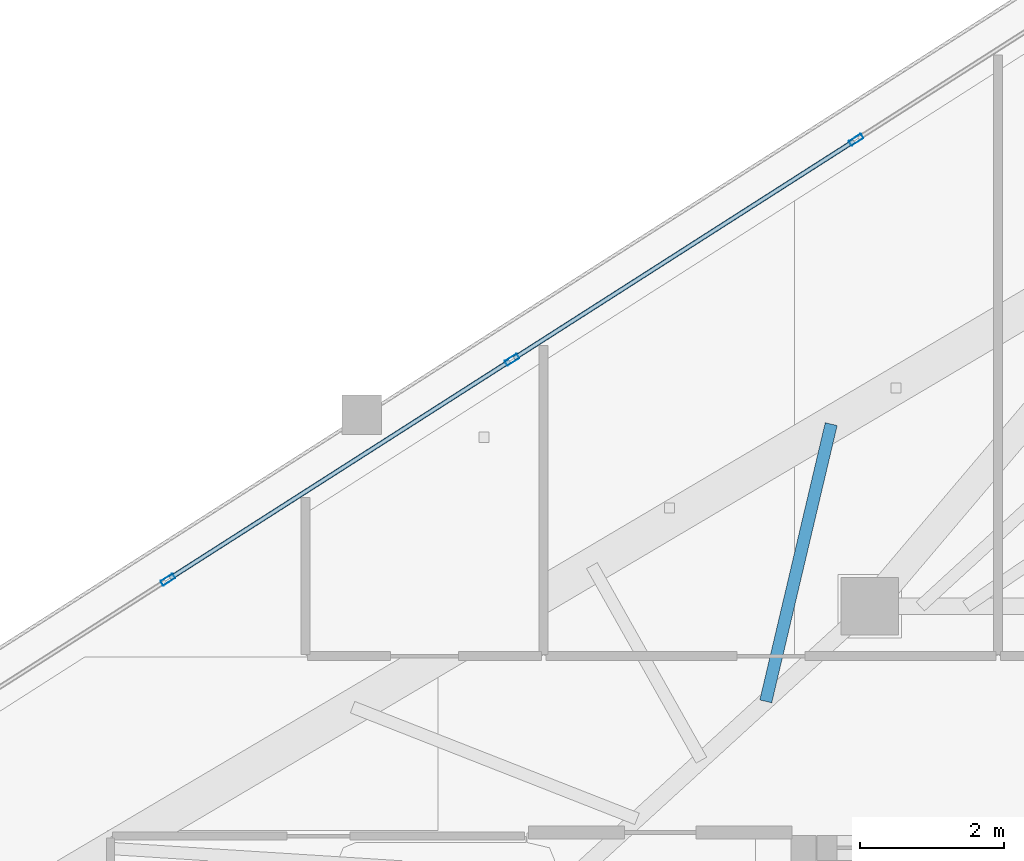
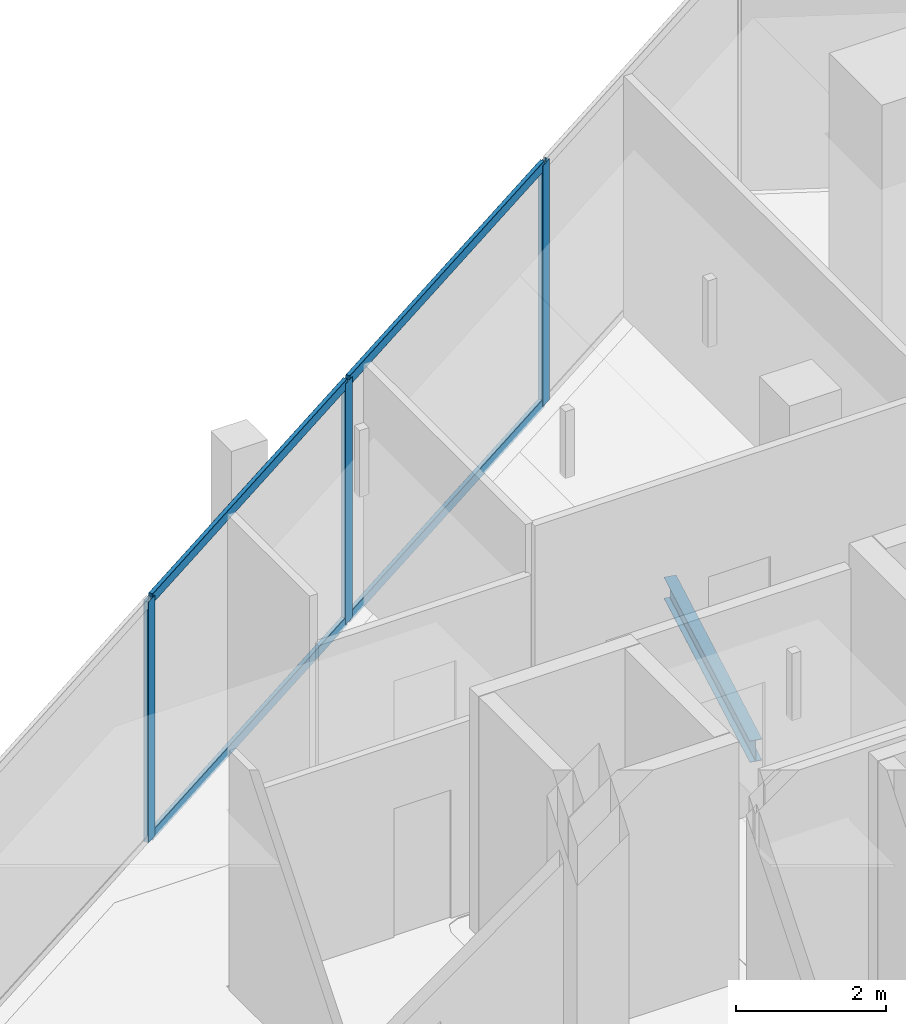
# One storey, part 12 of 24: 7 members, 1 beam, 1 element without a shape of its own.
"""IFC4 building model written with IfcOpenShell, lengths in metres."""

from ifc_helpers import new_model, si_unit, direction, frame, origin, origin_2d, place, context, subcontext, project, spatial, hollow_rectangle, i_section, extrude, material, layer, layer_set, material_profile, profile_set, type_object, element, aggregate, save


model = new_model("IFC4")

# Units and contexts
model_context = context("Model", 3, precision=1e-05, world=origin(), true_north=direction((0.0, 1.0)))
body_context = subcontext(model_context, "Body", "Model", "MODEL_VIEW")
ifc_project = project(units=[si_unit("LENGTHUNIT", "METRE"), si_unit("AREAUNIT", "SQUARE_METRE"), si_unit("VOLUMEUNIT", "CUBIC_METRE"), si_unit("PLANEANGLEUNIT", "RADIAN"), si_unit("MASSUNIT", "GRAM", prefix="KILO")], contexts=[model_context])

# Site, building, storey
site_placement = place(None, origin())
site = spatial("IfcSite", under=ifc_project, at=site_placement, CompositionType="ELEMENT")
building_placement = place(site_placement, origin())
building = spatial("IfcBuilding", under=site, at=building_placement, Name="Qorvath Tower", CompositionType="ELEMENT")
storey_placement = place(building_placement, frame((0.0, 0.0, 318.60009765625)))
storey = spatial("IfcBuildingStorey", under=building, at=storey_placement, Name="L74", CompositionType="ELEMENT", Elevation=318.60009765625)

# Beam
ifc_material_1 = material(Name="Steel ASTM A992 Grade 50", Category="steel")
ifc_material_profile_1 = material_profile(ifc_material_1, i_section(OverallWidth=0.1708984375, OverallDepth=0.35107421875, WebThickness=0.0068359375, FlangeThickness=0.009765625, FilletRadius=0.010009765625, at=origin_2d()), Name="W14x30")
ifc_profile_set_1 = profile_set([ifc_material_profile_1], Name="Steel ASTM A992 Grade 50")
beam_type = type_object("IfcBeamType", Name="BM-FJ4", PredefinedType="JOIST", material=ifc_profile_set_1)
beam_placement = place(storey_placement, frame((-25.049072265625, 10.126953125, -0.465576171875), z_axis=(0.22966321917, 0.973270160726, 0.0), x_axis=(-0.973270160726, 0.22966321917, 0.0)))
element("IfcBeam", 1, at=beam_placement, inside=storey, type_object=beam_type, Name="Composite Floor Joist NW6 L74", PredefinedType="JOIST", context=body_context, shape_type="SweptSolid", body=[
    extrude(i_section(OverallWidth=0.1708984375, OverallDepth=0.35107421875, WebThickness=0.0068359375, FlangeThickness=0.009765625, FilletRadius=0.010009765625, at=origin_2d()), origin(), (0.0, 0.0, 1.0), 3.969482421875),
])

# Curtain wall, members
ifc_material_2 = material(Name="Anodised aluminium and triple low-E glass", Category="aluminium")
ifc_layer = layer(ifc_material_2, 0.179931640625)
ifc_layer_set = layer_set([ifc_layer], Name="CW-SYS-4")
curtain_wall_type = type_object("IfcCurtainWallType", Name="CW-SYS-4", PredefinedType="NOTDEFINED", material=ifc_layer_set)
curtain_wall_placement = place(storey_placement, origin())
curtain_wall = element("IfcCurtainWall", 2, at=curtain_wall_placement, inside=storey, type_object=curtain_wall_type, Name="Curtain Wall CW-4 CW-T-L74-16.1", PredefinedType="NOTDEFINED")
ifc_material_3 = material(Name="Anodised aluminium 6063-T6", Category="aluminium")
ifc_material_profile_2 = material_profile(ifc_material_3, hollow_rectangle(XDim=0.074951171875, YDim=0.199951171875, WallThickness=0.00390625, InnerFilletRadius=0.00390625, OuterFilletRadius=0.008056640625, at=origin_2d()), Name="CWM 200x75")
ifc_profile_set_2 = profile_set([ifc_material_profile_2], Name="Anodised aluminium 6063-T6")
member_type_1 = type_object("IfcMemberType", Name="CWM-200", PredefinedType="MULLION", material=ifc_profile_set_2)
member_1_placement = place(storey_placement, frame((-23.78955078125, 17.9541015625, 0.0), z_axis=(0.0, 0.0, 1.0), x_axis=(0.538531704636, -0.842605247493, 0.0)))
member_1 = element("IfcMember", 3, at=member_1_placement, type_object=member_type_1, Name="CW-4 mullion 2", PredefinedType="MULLION", context=body_context, shape_type="SweptSolid", body=[
    extrude(hollow_rectangle(XDim=0.074951171875, YDim=0.199951171875, WallThickness=0.00390625, InnerFilletRadius=0.00390625, OuterFilletRadius=0.008056640625, at=origin_2d()), origin(), (0.0, 0.0, 1.0), 3.909912109375),
])
member_2_placement = place(storey_placement, frame((-28.585693359375, 14.888671875, 0.0), z_axis=(0.0, 0.0, 1.0), x_axis=(0.538531704636, -0.842605247493, 0.0)))
member_2 = element("IfcMember", 4, at=member_2_placement, type_object=member_type_1, Name="CW-4 mullion 3", PredefinedType="MULLION", context=body_context, shape_type="SweptSolid", body=[
    extrude(hollow_rectangle(XDim=0.074951171875, YDim=0.199951171875, WallThickness=0.00390625, InnerFilletRadius=0.00390625, OuterFilletRadius=0.008056640625, at=origin_2d()), origin(), (0.0, 0.0, 1.0), 3.909912109375),
])
member_3_placement = place(storey_placement, frame((-33.381591796875, 11.8232421875, 0.0), z_axis=(0.0, 0.0, 1.0), x_axis=(0.538531704636, -0.842605247493, 0.0)))
member_3 = element("IfcMember", 5, at=member_3_placement, type_object=member_type_1, Name="CW-4 mullion 4", PredefinedType="MULLION", context=body_context, shape_type="SweptSolid", body=[
    extrude(hollow_rectangle(XDim=0.074951171875, YDim=0.199951171875, WallThickness=0.00390625, InnerFilletRadius=0.00390625, OuterFilletRadius=0.008056640625, at=origin_2d()), origin(), (0.0, 0.0, 1.0), 3.909912109375),
])
ifc_material_4 = material(Name="Anodised aluminium 6063-T6", Category="aluminium")
ifc_material_profile_3 = material_profile(ifc_material_4, hollow_rectangle(XDim=0.06494140625, YDim=0.159912109375, WallThickness=0.00341796875, InnerFilletRadius=0.00341796875, OuterFilletRadius=0.007080078125, at=origin_2d()), Name="CWT 160x65")
ifc_profile_set_3 = profile_set([ifc_material_profile_3], Name="Anodised aluminium 6063-T6")
member_type_2 = type_object("IfcMemberType", Name="CWT-160", PredefinedType="USERDEFINED", material=ifc_profile_set_3)
member_4_placement = place(storey_placement, frame((-23.821044921875, 17.933837890625, 0.032470703125), z_axis=(-0.842607508841, -0.538528166436, 0.0), x_axis=(0.538528166436, -0.842607508841, 0.0)))
member_4 = element("IfcMember", 6, at=member_4_placement, type_object=member_type_2, Name="CW-4 transom 2.1", ObjectType="TRANSOM", PredefinedType="USERDEFINED", context=body_context, shape_type="SweptSolid", body=[
    extrude(hollow_rectangle(XDim=0.06494140625, YDim=0.159912109375, WallThickness=0.00341796875, InnerFilletRadius=0.00341796875, OuterFilletRadius=0.007080078125, at=origin_2d()), origin(), (0.0, 0.0, 1.0), 5.616943359375),
])
member_5_placement = place(storey_placement, frame((-23.821044921875, 17.933837890625, 3.87744140625), z_axis=(-0.842607508841, -0.538528166436, 0.0), x_axis=(0.538528166436, -0.842607508841, 0.0)))
member_5 = element("IfcMember", 7, at=member_5_placement, type_object=member_type_2, Name="CW-4 transom 2.2", ObjectType="TRANSOM", PredefinedType="USERDEFINED", context=body_context, shape_type="SweptSolid", body=[
    extrude(hollow_rectangle(XDim=0.06494140625, YDim=0.159912109375, WallThickness=0.00341796875, InnerFilletRadius=0.00341796875, OuterFilletRadius=0.007080078125, at=origin_2d()), origin(), (0.0, 0.0, 1.0), 5.616943359375),
])
member_6_placement = place(storey_placement, frame((-28.6171875, 14.868408203125, 0.032470703125), z_axis=(-0.842607508841, -0.538528166436, 0.0), x_axis=(0.538528166436, -0.842607508841, 0.0)))
member_6 = element("IfcMember", 8, at=member_6_placement, type_object=member_type_2, Name="CW-4 transom 3.1", ObjectType="TRANSOM", PredefinedType="USERDEFINED", context=body_context, shape_type="SweptSolid", body=[
    extrude(hollow_rectangle(XDim=0.06494140625, YDim=0.159912109375, WallThickness=0.00341796875, InnerFilletRadius=0.00341796875, OuterFilletRadius=0.007080078125, at=origin_2d()), origin(), (0.0, 0.0, 1.0), 5.616943359375),
])
member_7_placement = place(storey_placement, frame((-28.6171875, 14.868408203125, 3.87744140625), z_axis=(-0.842607508841, -0.538528166436, 0.0), x_axis=(0.538528166436, -0.842607508841, 0.0)))
member_7 = element("IfcMember", 9, at=member_7_placement, type_object=member_type_2, Name="CW-4 transom 3.2", ObjectType="TRANSOM", PredefinedType="USERDEFINED", context=body_context, shape_type="SweptSolid", body=[
    extrude(hollow_rectangle(XDim=0.06494140625, YDim=0.159912109375, WallThickness=0.00341796875, InnerFilletRadius=0.00341796875, OuterFilletRadius=0.007080078125, at=origin_2d()), origin(), (0.0, 0.0, 1.0), 5.616943359375),
])
aggregate(curtain_wall, [member_1, member_2, member_3, member_4, member_5, member_6, member_7])

save(model, "model.ifc")
